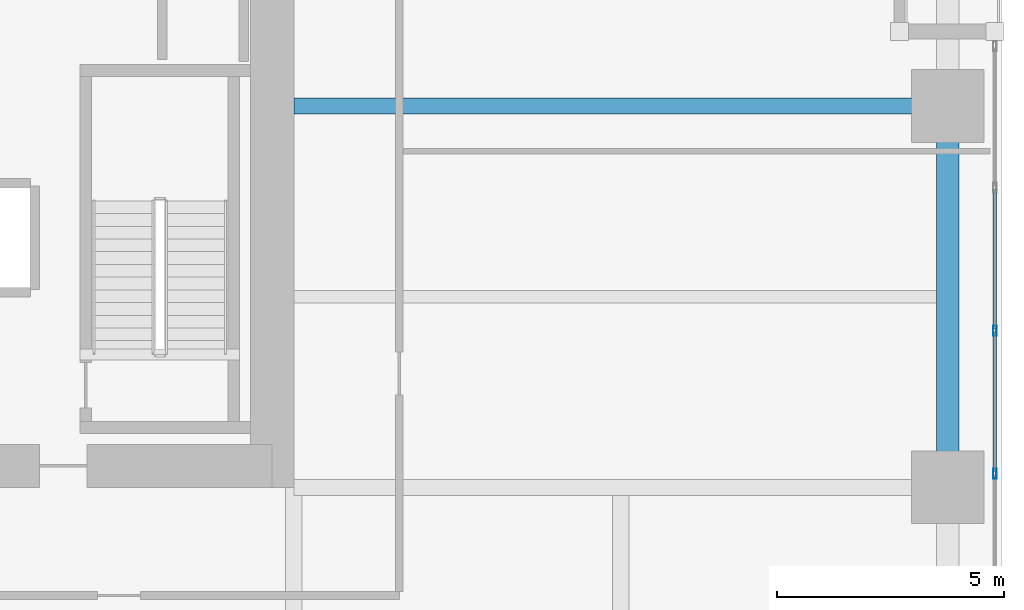
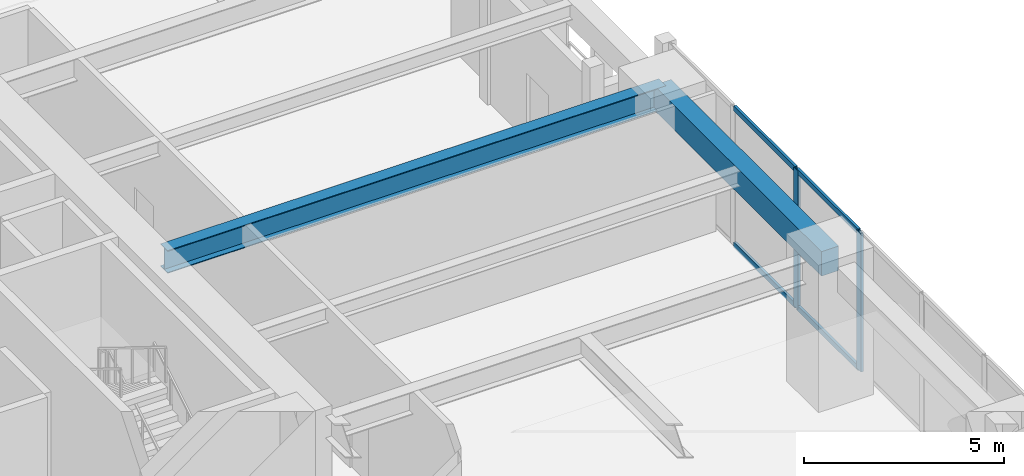
# One storey, part 9 of 25: 6 members, 2 beams, 1 element without a shape of its own.
"""IFC4 building model written with IfcOpenShell, lengths in metres."""

from ifc_helpers import new_model, si_unit, direction, frame, origin, origin_2d, place, context, subcontext, project, spatial, rectangle, hollow_rectangle, i_section, extrude, material, layer, layer_set, material_profile, profile_set, type_object, element, aggregate, save


model = new_model("IFC4")

# Units and contexts
model_context = context("Model", 3, precision=1e-05, world=origin(), true_north=direction((0.0, 1.0)))
body_context = subcontext(model_context, "Body", "Model", "MODEL_VIEW")
ifc_project = project(units=[si_unit("LENGTHUNIT", "METRE"), si_unit("AREAUNIT", "SQUARE_METRE"), si_unit("VOLUMEUNIT", "CUBIC_METRE"), si_unit("PLANEANGLEUNIT", "RADIAN"), si_unit("MASSUNIT", "GRAM", prefix="KILO")], contexts=[model_context])

# Site, building, storey
site_placement = place(None, origin())
site = spatial("IfcSite", under=ifc_project, at=site_placement, CompositionType="ELEMENT")
building_placement = place(site_placement, origin())
building = spatial("IfcBuilding", under=site, at=building_placement, Name="Kiyonajd Concourse Tower", CompositionType="ELEMENT")
storey_placement = place(building_placement, frame((0.0, 0.0, 68.39990234375)))
storey = spatial("IfcBuildingStorey", under=building, at=storey_placement, Name="L18", CompositionType="ELEMENT", Elevation=68.39990234375)

# Beams
ifc_material_1 = material(Name="Precast concrete C50/60", Category="concrete")
ifc_material_profile_1 = material_profile(ifc_material_1, rectangle(XDim=0.5, YDim=0.75, at=origin_2d()), Name="RCBM-500x750")
ifc_profile_set_1 = profile_set([ifc_material_profile_1], Name="Precast concrete C50/60")
beam_type_1 = type_object("IfcBeamType", Name="BM-SPAN-RC", PredefinedType="SPANDREL", material=ifc_profile_set_1)
beam_1_placement = place(storey_placement, frame((78.0, 27.60009765625, 3.864990234375), z_axis=(0.0, 1.0, 0.0), x_axis=(-1.0, 0.0, 0.0)))
element("IfcBeam", 1, at=beam_1_placement, inside=storey, type_object=beam_type_1, Name="L18 Perimeter Bundled Tube Spandrel", PredefinedType="SPANDREL", context=body_context, shape_type="SweptSolid", body=[
    extrude(rectangle(XDim=0.5, YDim=0.75, at=origin_2d()), origin(), (0.0, 0.0, 1.0), 8.39990234375),
])
ifc_material_2 = material(Name="Steel ASTM A992 Grade 50", Category="steel")
ifc_material_profile_2 = material_profile(ifc_material_2, i_section(OverallWidth=0.35498046875, OverallDepth=0.695068359375, WebThickness=0.015380859375, FlangeThickness=0.02490234375, at=origin_2d()), Name="W690X217")
ifc_profile_set_2 = profile_set([ifc_material_profile_2], Name="Steel ASTM A992 Grade 50")
beam_type_2 = type_object("IfcBeamType", Name="BM-TWR-690", PredefinedType="BEAM", material=ifc_profile_set_2)
beam_2_placement = place(storey_placement, frame((63.60009765625, 36.0, 3.892578125), z_axis=(1.0, 0.0, 0.0), x_axis=(0.0, 1.0, 0.0)))
element("IfcBeam", 2, at=beam_2_placement, inside=storey, type_object=beam_type_2, Name="L18 East Lease Girder", PredefinedType="BEAM", context=body_context, shape_type="SweptSolid", body=[
    extrude(i_section(OverallWidth=0.35498046875, OverallDepth=0.695068359375, WebThickness=0.015380859375, FlangeThickness=0.02490234375, at=origin_2d()), origin(), (0.0, 0.0, 1.0), 14.39990234375),
])

# Curtain wall, members
ifc_material_3 = material(Name="Thermally Broken Anodised Aluminium", Category="aluminium")
ifc_layer = layer(ifc_material_3, 0.179931640625)
ifc_layer_set = layer_set([ifc_layer], Name="Thermally Broken Anodised Aluminium")
curtain_wall_type = type_object("IfcCurtainWallType", Name="CW-SYS-05", PredefinedType="NOTDEFINED", material=ifc_layer_set)
curtain_wall_placement = place(storey_placement, origin())
curtain_wall = element("IfcCurtainWall", 3, at=curtain_wall_placement, inside=storey, type_object=curtain_wall_type, Name="L18 Unitised Curtain Wall CW5", PredefinedType="NOTDEFINED")
ifc_material_profile_3 = material_profile(ifc_material_3, hollow_rectangle(XDim=0.074951171875, YDim=0.219970703125, WallThickness=0.0048828125, at=origin_2d()), Name="MULL-75x220")
ifc_profile_set_3 = profile_set([ifc_material_profile_3], Name="Thermally Broken Anodised Aluminium")
member_type_1 = type_object("IfcMemberType", Name="MB-CW-MULL2", PredefinedType="MULLION", material=ifc_profile_set_3)
member_1_placement = place(storey_placement, frame((79.0400390625, 31.05322265625, 0.0), z_axis=(0.0, 0.0, 1.0), x_axis=(1.0, 0.0, 0.0)))
member_1 = element("IfcMember", 4, at=member_1_placement, type_object=member_type_1, Name="CW5 mullion 3", PredefinedType="MULLION", context=body_context, shape_type="SweptSolid", body=[
    extrude(hollow_rectangle(XDim=0.074951171875, YDim=0.219970703125, WallThickness=0.0048828125, at=origin_2d()), origin(), (0.0, 0.0, 1.0), 4.239990234375),
])
member_2_placement = place(storey_placement, frame((79.0400390625, 27.90478515625, 0.0), z_axis=(0.0, 0.0, 1.0), x_axis=(1.0, 0.0, 0.0)))
member_2 = element("IfcMember", 5, at=member_2_placement, type_object=member_type_1, Name="CW5 mullion 4", PredefinedType="MULLION", context=body_context, shape_type="SweptSolid", body=[
    extrude(hollow_rectangle(XDim=0.074951171875, YDim=0.219970703125, WallThickness=0.0048828125, at=origin_2d()), origin(), (0.0, 0.0, 1.0), 4.239990234375),
])
ifc_material_profile_4 = material_profile(ifc_material_3, hollow_rectangle(XDim=0.074951171875, YDim=0.159912109375, WallThickness=0.0048828125, at=origin_2d()), Name="TRAN-75x160")
ifc_profile_set_4 = profile_set([ifc_material_profile_4], Name="Thermally Broken Anodised Aluminium")
member_type_2 = type_object("IfcMemberType", Name="MB-CW-TRAN2", PredefinedType="USERDEFINED", material=ifc_profile_set_4)
member_3_placement = place(storey_placement, frame((79.0400390625, 34.1640625, 0.03759765625), z_axis=(0.0, -1.0, 0.0), x_axis=(1.0, 0.0, 0.0)))
member_3 = element("IfcMember", 6, at=member_3_placement, type_object=member_type_2, Name="CW5 transom 2.1", ObjectType="TRANSOM", PredefinedType="USERDEFINED", context=body_context, shape_type="SweptSolid", body=[
    extrude(hollow_rectangle(XDim=0.074951171875, YDim=0.159912109375, WallThickness=0.0048828125, at=origin_2d()), origin(), (0.0, 0.0, 1.0), 3.073486328125),
])
member_4_placement = place(storey_placement, frame((79.0400390625, 34.1640625, 4.20263671875), z_axis=(0.0, -1.0, 0.0), x_axis=(1.0, 0.0, 0.0)))
member_4 = element("IfcMember", 7, at=member_4_placement, type_object=member_type_2, Name="CW5 transom 2.2", ObjectType="TRANSOM", PredefinedType="USERDEFINED", context=body_context, shape_type="SweptSolid", body=[
    extrude(hollow_rectangle(XDim=0.074951171875, YDim=0.159912109375, WallThickness=0.0048828125, at=origin_2d()), origin(), (0.0, 0.0, 1.0), 3.073486328125),
])
member_5_placement = place(storey_placement, frame((79.0400390625, 31.015625, 0.03759765625), z_axis=(0.0, -1.0, 0.0), x_axis=(1.0, 0.0, 0.0)))
member_5 = element("IfcMember", 8, at=member_5_placement, type_object=member_type_2, Name="CW5 transom 3.1", ObjectType="TRANSOM", PredefinedType="USERDEFINED", context=body_context, shape_type="SweptSolid", body=[
    extrude(hollow_rectangle(XDim=0.074951171875, YDim=0.159912109375, WallThickness=0.0048828125, at=origin_2d()), origin(), (0.0, 0.0, 1.0), 3.073486328125),
])
member_6_placement = place(storey_placement, frame((79.0400390625, 31.015625, 4.20263671875), z_axis=(0.0, -1.0, 0.0), x_axis=(1.0, 0.0, 0.0)))
member_6 = element("IfcMember", 9, at=member_6_placement, type_object=member_type_2, Name="CW5 transom 3.2", ObjectType="TRANSOM", PredefinedType="USERDEFINED", context=body_context, shape_type="SweptSolid", body=[
    extrude(hollow_rectangle(XDim=0.074951171875, YDim=0.159912109375, WallThickness=0.0048828125, at=origin_2d()), origin(), (0.0, 0.0, 1.0), 3.073486328125),
])
aggregate(curtain_wall, [member_1, member_2, member_3, member_4, member_5, member_6])

save(model, "model.ifc")
